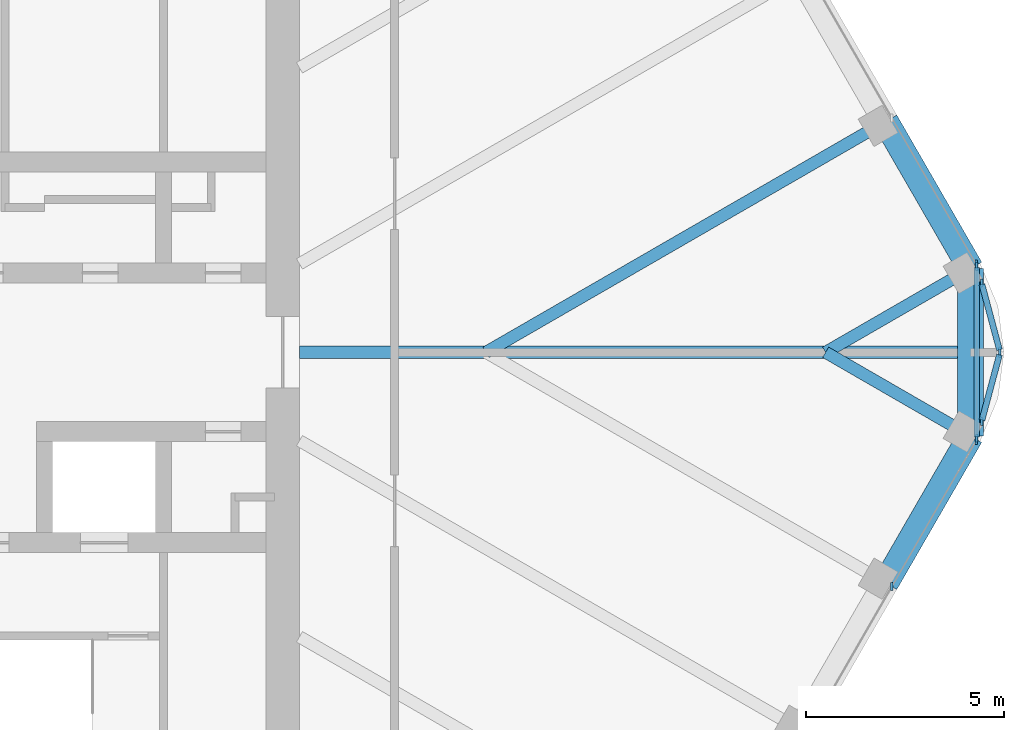
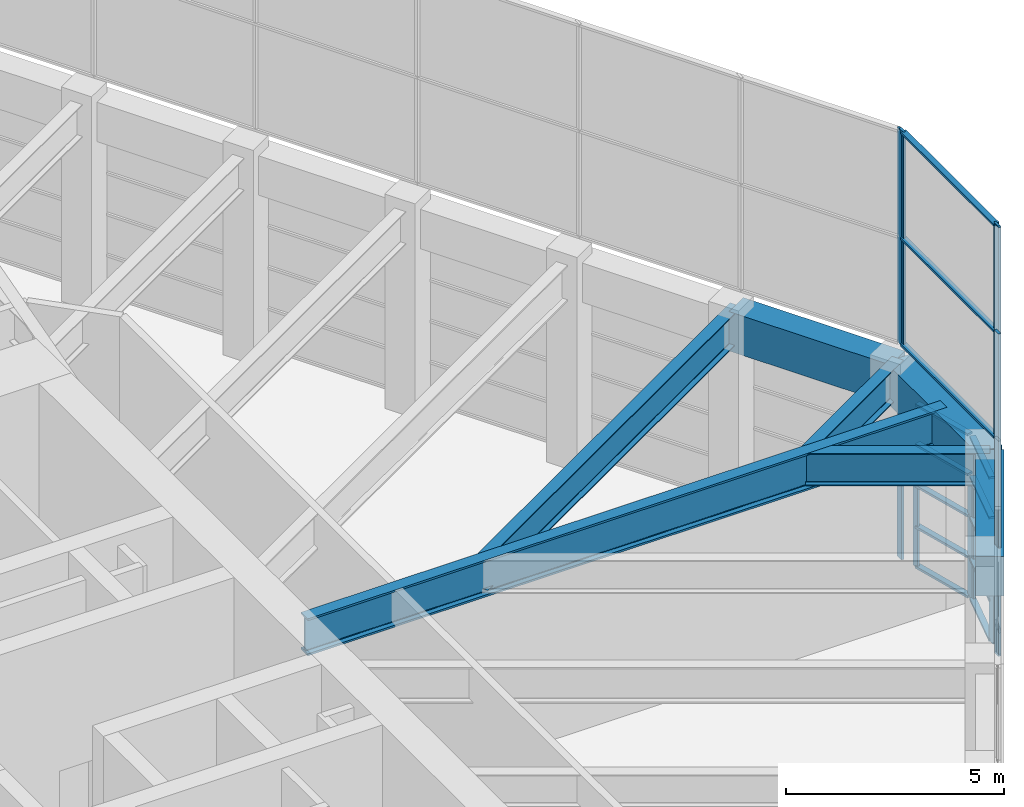
# One storey, part 6 of 17: 24 members, 7 beams, 7 elements without a shape of their own.
"""IFC4 building model written with IfcOpenShell, lengths in metres."""

from ifc_helpers import new_model, si_unit, direction, frame, origin, origin_2d, place, context, subcontext, project, spatial, rectangle, i_section, extrude, material, material_profile, profile_set, type_object, element, aggregate, save


model = new_model("IFC4")

# Units and contexts
model_context = context("Model", 3, precision=1e-05, world=origin(), true_north=direction((0.0, 1.0)))
body_context = subcontext(model_context, "Body", "Model", "MODEL_VIEW")
ifc_project = project(units=[si_unit("LENGTHUNIT", "METRE"), si_unit("AREAUNIT", "SQUARE_METRE"), si_unit("VOLUMEUNIT", "CUBIC_METRE"), si_unit("PLANEANGLEUNIT", "RADIAN"), si_unit("MASSUNIT", "GRAM", prefix="KILO")], contexts=[model_context])

# Site, building, storey
site_placement = place(None, origin())
site = spatial("IfcSite", under=ifc_project, at=site_placement, CompositionType="ELEMENT")
building_placement = place(site_placement, origin())
building = spatial("IfcBuilding", under=site, at=building_placement, Name="Tarfa Lantern Tower", CompositionType="ELEMENT")
storey_placement = place(building_placement, frame((0.0, 0.0, 402.300048828125)))
storey = spatial("IfcBuildingStorey", under=building, at=storey_placement, Name="L91", CompositionType="ELEMENT", Elevation=402.300048828125)

# Curtain wall, members
ifc_material_1 = material(Name="Aluminium framed curtain wall", Category="aluminium")
curtain_wall_type_1 = type_object("IfcCurtainWallType", Name="CW8 LANTERN GLAZING 4600", PredefinedType="USERDEFINED", material=ifc_material_1)
curtain_wall_1_placement = place(storey_placement, origin())
curtain_wall_1 = element("IfcCurtainWall", 1, at=curtain_wall_1_placement, inside=storey, type_object=curtain_wall_type_1, Name="CW8 SENE1 L91", ObjectType="CURTAIN WALL", PredefinedType="USERDEFINED")
ifc_material_2 = material(Name="Aluminium mullion", Category="aluminium")
ifc_material_profile_1 = material_profile(ifc_material_2, rectangle(XDim=0.06494140625, YDim=0.199951171875, at=origin_2d()), Name="AL MULLION 65x200")
ifc_profile_set_1 = profile_set([ifc_material_profile_1], Name="Aluminium mullion")
member_type_1 = type_object("IfcMemberType", Name="CWM1 MULLION 65x200", PredefinedType="MULLION", material=ifc_profile_set_1)
member_1_placement = place(storey_placement, frame((29.625244140625, -1.74267578125, 0.0), z_axis=(0.0, 0.0, 1.0), x_axis=(1.0, 0.0, 0.0)))
member_1 = element("IfcMember", 2, at=member_1_placement, type_object=member_type_1, Name="CW8 mullion 1", PredefinedType="MULLION", context=body_context, shape_type="SweptSolid", body=[
    extrude(rectangle(XDim=0.06494140625, YDim=0.199951171875, at=origin_2d()), origin(), (0.0, 0.0, 1.0), 4.599853515625),
])
member_2_placement = place(storey_placement, frame((30.083740234375, -0.031494140625, 0.0), z_axis=(0.0, 0.0, 1.0), x_axis=(1.0, 0.0, 0.0)))
member_2 = element("IfcMember", 3, at=member_2_placement, type_object=member_type_1, Name="CW8 mullion 2", PredefinedType="MULLION", context=body_context, shape_type="SweptSolid", body=[
    extrude(rectangle(XDim=0.06494140625, YDim=0.199951171875, at=origin_2d()), origin(), (0.0, 0.0, 1.0), 4.599853515625),
])

curtain_wall_2_placement = place(storey_placement, origin())
curtain_wall_2 = element("IfcCurtainWall", 4, at=curtain_wall_2_placement, inside=storey, type_object=curtain_wall_type_1, Name="CW8 SENE2 L91", ObjectType="CURTAIN WALL", PredefinedType="USERDEFINED")
member_3_placement = place(storey_placement, frame((30.083740234375, 0.031494140625, 0.0), z_axis=(0.0, 0.0, 1.0), x_axis=(1.0, 0.0, 0.0)))
member_3 = element("IfcMember", 5, at=member_3_placement, type_object=member_type_1, Name="CW8 mullion 1", PredefinedType="MULLION", context=body_context, shape_type="SweptSolid", body=[
    extrude(rectangle(XDim=0.06494140625, YDim=0.199951171875, at=origin_2d()), origin(), (0.0, 0.0, 1.0), 4.599853515625),
])
member_4_placement = place(storey_placement, frame((29.625244140625, 1.74267578125, 0.0), z_axis=(0.0, 0.0, 1.0), x_axis=(1.0, 0.0, 0.0)))
member_4 = element("IfcMember", 6, at=member_4_placement, type_object=member_type_1, Name="CW8 mullion 2", PredefinedType="MULLION", context=body_context, shape_type="SweptSolid", body=[
    extrude(rectangle(XDim=0.06494140625, YDim=0.199951171875, at=origin_2d()), origin(), (0.0, 0.0, 1.0), 4.599853515625),
])

# Curtain wall, member
curtain_wall_3_placement = place(storey_placement, origin())
curtain_wall_3 = element("IfcCurtainWall", 7, at=curtain_wall_3_placement, inside=storey, type_object=curtain_wall_type_1, Name="CW8 NE L91", ObjectType="CURTAIN WALL", PredefinedType="USERDEFINED")
member_5_placement = place(storey_placement, frame((29.486328125, 2.22802734375, 0.0), z_axis=(0.0, 0.0, 1.0), x_axis=(1.0, 0.0, 0.0)))
member_5 = element("IfcMember", 8, at=member_5_placement, type_object=member_type_1, Name="CW8 mullion 1", PredefinedType="MULLION", context=body_context, shape_type="SweptSolid", body=[
    extrude(rectangle(XDim=0.06494140625, YDim=0.199951171875, at=origin_2d()), origin(), (0.0, 0.0, 1.0), 4.599853515625),
])
aggregate(curtain_wall_3, [member_5])

curtain_wall_4_placement = place(storey_placement, origin())
curtain_wall_4 = element("IfcCurtainWall", 9, at=curtain_wall_4_placement, inside=storey, type_object=curtain_wall_type_1, Name="CW8 SE L91", ObjectType="CURTAIN WALL", PredefinedType="USERDEFINED")
member_6_placement = place(storey_placement, frame((29.486328125, -2.22802734375, 0.0), z_axis=(0.0, 0.0, 1.0), x_axis=(1.0, 0.0, 0.0)))
member_6 = element("IfcMember", 10, at=member_6_placement, type_object=member_type_1, Name="CW8 mullion 7", PredefinedType="MULLION", context=body_context, shape_type="SweptSolid", body=[
    extrude(rectangle(XDim=0.06494140625, YDim=0.199951171875, at=origin_2d()), origin(), (0.0, 0.0, 1.0), 4.599853515625),
])
aggregate(curtain_wall_4, [member_6])

curtain_wall_type_2 = type_object("IfcCurtainWallType", Name="CW9 CROWN SCREEN GLAZING 6000", PredefinedType="USERDEFINED", material=ifc_material_1)
curtain_wall_5_placement = place(storey_placement, origin())
curtain_wall_5 = element("IfcCurtainWall", 11, at=curtain_wall_5_placement, inside=storey, type_object=curtain_wall_type_2, Name="CW9 NE L91", ObjectType="CURTAIN WALL", PredefinedType="USERDEFINED")
member_7_placement = place(storey_placement, frame((29.486328125, 2.22802734375, 6.0), z_axis=(0.0, 0.0, 1.0), x_axis=(1.0, 0.0, 0.0)))
member_7 = element("IfcMember", 12, at=member_7_placement, type_object=member_type_1, Name="CW9 mullion 1", PredefinedType="MULLION", context=body_context, shape_type="SweptSolid", body=[
    extrude(rectangle(XDim=0.06494140625, YDim=0.199951171875, at=origin_2d()), origin(), (0.0, 0.0, 1.0), 6.0),
])
aggregate(curtain_wall_5, [member_7])

# Curtain wall, members
curtain_wall_6_placement = place(storey_placement, origin())
curtain_wall_6 = element("IfcCurtainWall", 13, at=curtain_wall_6_placement, inside=storey, type_object=curtain_wall_type_2, Name="CW9 SE L91", ObjectType="CURTAIN WALL", PredefinedType="USERDEFINED")
member_8_placement = place(storey_placement, frame((27.361572265625, -5.908447265625, 6.0), z_axis=(0.0, 0.0, 1.0), x_axis=(1.0, 0.0, 0.0)))
member_8 = element("IfcMember", 14, at=member_8_placement, type_object=member_type_1, Name="CW9 mullion 6", PredefinedType="MULLION", context=body_context, shape_type="SweptSolid", body=[
    extrude(rectangle(XDim=0.06494140625, YDim=0.199951171875, at=origin_2d()), origin(), (0.0, 0.0, 1.0), 6.0),
])
member_9_placement = place(storey_placement, frame((29.486328125, -2.22802734375, 6.0), z_axis=(0.0, 0.0, 1.0), x_axis=(1.0, 0.0, 0.0)))
member_9 = element("IfcMember", 15, at=member_9_placement, type_object=member_type_1, Name="CW9 mullion 7", PredefinedType="MULLION", context=body_context, shape_type="SweptSolid", body=[
    extrude(rectangle(XDim=0.06494140625, YDim=0.199951171875, at=origin_2d()), origin(), (0.0, 0.0, 1.0), 6.0),
])
aggregate(curtain_wall_6, [member_8, member_9])

curtain_wall_7_placement = place(storey_placement, origin())
curtain_wall_7 = element("IfcCurtainWall", 16, at=curtain_wall_7_placement, inside=storey, type_object=curtain_wall_type_2, Name="CW9 SENE L91", ObjectType="CURTAIN WALL", PredefinedType="USERDEFINED")
member_10_placement = place(storey_placement, frame((29.502685546875, -2.16748046875, 6.0), z_axis=(0.0, 0.0, 1.0), x_axis=(1.0, 0.0, 0.0)))
member_10 = element("IfcMember", 17, at=member_10_placement, type_object=member_type_1, Name="CW9 mullion 1", PredefinedType="MULLION", context=body_context, shape_type="SweptSolid", body=[
    extrude(rectangle(XDim=0.06494140625, YDim=0.199951171875, at=origin_2d()), origin(), (0.0, 0.0, 1.0), 6.0),
])
member_11_placement = place(storey_placement, frame((29.502685546875, 2.16748046875, 6.0), z_axis=(0.0, 0.0, 1.0), x_axis=(1.0, 0.0, 0.0)))
member_11 = element("IfcMember", 18, at=member_11_placement, type_object=member_type_1, Name="CW9 mullion 2", PredefinedType="MULLION", context=body_context, shape_type="SweptSolid", body=[
    extrude(rectangle(XDim=0.06494140625, YDim=0.199951171875, at=origin_2d()), origin(), (0.0, 0.0, 1.0), 6.0),
])

# Member
ifc_material_3 = material(Name="Aluminium transom", Category="aluminium")
ifc_material_profile_2 = material_profile(ifc_material_3, rectangle(XDim=0.14990234375, YDim=0.06494140625, at=origin_2d()), Name="AL TRANSOM 150x65")
ifc_profile_set_2 = profile_set([ifc_material_profile_2], Name="Aluminium transom")
member_type_2 = type_object("IfcMemberType", Name="CWT1 TRANSOM 150x65", PredefinedType="USERDEFINED", material=ifc_profile_set_2)
member_12_placement = place(storey_placement, frame((29.633544921875, -1.71142578125, 0.032470703125), z_axis=(0.258757534625, 0.965942305873, 0.0), x_axis=(-0.965942305873, 0.258757534625, 0.0)))
member_12 = element("IfcMember", 19, at=member_12_placement, type_object=member_type_2, Name="CW8 transom 1.1", ObjectType="TRANSOM", PredefinedType="USERDEFINED", context=body_context, shape_type="SweptSolid", body=[
    extrude(rectangle(XDim=0.14990234375, YDim=0.06494140625, at=origin_2d()), origin(), (0.0, 0.0, 1.0), 1.706787109375),
])

member_13_placement = place(storey_placement, frame((29.633544921875, -1.71142578125, 1.14990234375), z_axis=(0.258757534625, 0.965942305873, 0.0), x_axis=(-0.965942305873, 0.258757534625, 0.0)))
member_13 = element("IfcMember", 20, at=member_13_placement, type_object=member_type_2, Name="CW8 transom 1.2", ObjectType="TRANSOM", PredefinedType="USERDEFINED", context=body_context, shape_type="SweptSolid", body=[
    extrude(rectangle(XDim=0.14990234375, YDim=0.06494140625, at=origin_2d()), origin(), (0.0, 0.0, 1.0), 1.706787109375),
])

member_14_placement = place(storey_placement, frame((29.633544921875, -1.71142578125, 2.300048828125), z_axis=(0.258757534625, 0.965942305873, 0.0), x_axis=(-0.965942305873, 0.258757534625, 0.0)))
member_14 = element("IfcMember", 21, at=member_14_placement, type_object=member_type_2, Name="CW8 transom 1.3", ObjectType="TRANSOM", PredefinedType="USERDEFINED", context=body_context, shape_type="SweptSolid", body=[
    extrude(rectangle(XDim=0.14990234375, YDim=0.06494140625, at=origin_2d()), origin(), (0.0, 0.0, 1.0), 1.706787109375),
])

member_15_placement = place(storey_placement, frame((29.633544921875, -1.71142578125, 3.449951171875), z_axis=(0.258757534625, 0.965942305873, 0.0), x_axis=(-0.965942305873, 0.258757534625, 0.0)))
member_15 = element("IfcMember", 22, at=member_15_placement, type_object=member_type_2, Name="CW8 transom 1.4", ObjectType="TRANSOM", PredefinedType="USERDEFINED", context=body_context, shape_type="SweptSolid", body=[
    extrude(rectangle(XDim=0.14990234375, YDim=0.06494140625, at=origin_2d()), origin(), (0.0, 0.0, 1.0), 1.706787109375),
])

member_16_placement = place(storey_placement, frame((29.633544921875, -1.71142578125, 4.5673828125), z_axis=(0.258757534625, 0.965942305873, 0.0), x_axis=(-0.965942305873, 0.258757534625, 0.0)))
member_16 = element("IfcMember", 23, at=member_16_placement, type_object=member_type_2, Name="CW8 transom 1.5", ObjectType="TRANSOM", PredefinedType="USERDEFINED", context=body_context, shape_type="SweptSolid", body=[
    extrude(rectangle(XDim=0.14990234375, YDim=0.06494140625, at=origin_2d()), origin(), (0.0, 0.0, 1.0), 1.706787109375),
])

aggregate(curtain_wall_1, [member_1, member_2, member_12, member_13, member_14, member_15, member_16])

member_17_placement = place(storey_placement, frame((30.0751953125, 0.062744140625, 0.032470703125), z_axis=(-0.258757534625, 0.965942305873, 0.0), x_axis=(-0.965942305873, -0.258757534625, 0.0)))
member_17 = element("IfcMember", 24, at=member_17_placement, type_object=member_type_2, Name="CW8 transom 1.1", ObjectType="TRANSOM", PredefinedType="USERDEFINED", context=body_context, shape_type="SweptSolid", body=[
    extrude(rectangle(XDim=0.14990234375, YDim=0.06494140625, at=origin_2d()), origin(), (0.0, 0.0, 1.0), 1.706787109375),
])

member_18_placement = place(storey_placement, frame((30.0751953125, 0.062744140625, 1.14990234375), z_axis=(-0.258757534625, 0.965942305873, 0.0), x_axis=(-0.965942305873, -0.258757534625, 0.0)))
member_18 = element("IfcMember", 25, at=member_18_placement, type_object=member_type_2, Name="CW8 transom 1.2", ObjectType="TRANSOM", PredefinedType="USERDEFINED", context=body_context, shape_type="SweptSolid", body=[
    extrude(rectangle(XDim=0.14990234375, YDim=0.06494140625, at=origin_2d()), origin(), (0.0, 0.0, 1.0), 1.706787109375),
])

member_19_placement = place(storey_placement, frame((30.0751953125, 0.062744140625, 2.300048828125), z_axis=(-0.258757534625, 0.965942305873, 0.0), x_axis=(-0.965942305873, -0.258757534625, 0.0)))
member_19 = element("IfcMember", 26, at=member_19_placement, type_object=member_type_2, Name="CW8 transom 1.3", ObjectType="TRANSOM", PredefinedType="USERDEFINED", context=body_context, shape_type="SweptSolid", body=[
    extrude(rectangle(XDim=0.14990234375, YDim=0.06494140625, at=origin_2d()), origin(), (0.0, 0.0, 1.0), 1.706787109375),
])

member_20_placement = place(storey_placement, frame((30.0751953125, 0.062744140625, 3.449951171875), z_axis=(-0.258757534625, 0.965942305873, 0.0), x_axis=(-0.965942305873, -0.258757534625, 0.0)))
member_20 = element("IfcMember", 27, at=member_20_placement, type_object=member_type_2, Name="CW8 transom 1.4", ObjectType="TRANSOM", PredefinedType="USERDEFINED", context=body_context, shape_type="SweptSolid", body=[
    extrude(rectangle(XDim=0.14990234375, YDim=0.06494140625, at=origin_2d()), origin(), (0.0, 0.0, 1.0), 1.706787109375),
])

member_21_placement = place(storey_placement, frame((30.0751953125, 0.062744140625, 4.5673828125), z_axis=(-0.258757534625, 0.965942305873, 0.0), x_axis=(-0.965942305873, -0.258757534625, 0.0)))
member_21 = element("IfcMember", 28, at=member_21_placement, type_object=member_type_2, Name="CW8 transom 1.5", ObjectType="TRANSOM", PredefinedType="USERDEFINED", context=body_context, shape_type="SweptSolid", body=[
    extrude(rectangle(XDim=0.14990234375, YDim=0.06494140625, at=origin_2d()), origin(), (0.0, 0.0, 1.0), 1.706787109375),
])

aggregate(curtain_wall_2, [member_3, member_4, member_17, member_18, member_19, member_20, member_21])

member_22_placement = place(storey_placement, frame((29.502685546875, -2.135009765625, 6.032470703125), z_axis=(0.0, 1.0, 0.0), x_axis=(-1.0, 0.0, 0.0)))
member_22 = element("IfcMember", 29, at=member_22_placement, type_object=member_type_2, Name="CW9 transom 1.1", ObjectType="TRANSOM", PredefinedType="USERDEFINED", context=body_context, shape_type="SweptSolid", body=[
    extrude(rectangle(XDim=0.14990234375, YDim=0.06494140625, at=origin_2d()), origin(), (0.0, 0.0, 1.0), 4.27001953125),
])

member_23_placement = place(storey_placement, frame((29.502685546875, -2.135009765625, 9.0), z_axis=(0.0, 1.0, 0.0), x_axis=(-1.0, 0.0, 0.0)))
member_23 = element("IfcMember", 30, at=member_23_placement, type_object=member_type_2, Name="CW9 transom 1.2", ObjectType="TRANSOM", PredefinedType="USERDEFINED", context=body_context, shape_type="SweptSolid", body=[
    extrude(rectangle(XDim=0.14990234375, YDim=0.06494140625, at=origin_2d()), origin(), (0.0, 0.0, 1.0), 4.27001953125),
])

member_24_placement = place(storey_placement, frame((29.502685546875, -2.135009765625, 11.967529296875), z_axis=(0.0, 1.0, 0.0), x_axis=(-1.0, 0.0, 0.0)))
member_24 = element("IfcMember", 31, at=member_24_placement, type_object=member_type_2, Name="CW9 transom 1.3", ObjectType="TRANSOM", PredefinedType="USERDEFINED", context=body_context, shape_type="SweptSolid", body=[
    extrude(rectangle(XDim=0.14990234375, YDim=0.06494140625, at=origin_2d()), origin(), (0.0, 0.0, 1.0), 4.27001953125),
])

aggregate(curtain_wall_7, [member_10, member_11, member_22, member_23, member_24])

# Beams
ifc_material_4 = material(Name="Concrete C80/95", Category="concrete")
ifc_material_profile_3 = material_profile(ifc_material_4, rectangle(XDim=0.64990234375, YDim=1.10009765625, at=origin_2d()), Name="RC 650x1100")
ifc_profile_set_3 = profile_set([ifc_material_profile_3], Name="Concrete C80/95")
beam_type_1 = type_object("IfcBeamType", Name="EB4 RC 650x1100", PredefinedType="SPANDREL", material=ifc_profile_set_3)
for number, where, z_axis, x_axis, name in (
    (32, (29.3466796875, 2.110107421875, 5.14990234375), (-0.499984039138, 0.866034618596, 0.0), (-0.866034618596, -0.499984039138, 0.0), "Edge beam NE0"),
    (33, (27.205810546875, -5.818359375, 5.14990234375), (0.499984039138, 0.866034618596, 0.0), (-0.866034618596, 0.499984039138, 0.0), "Edge beam SE5"),
):
    element("IfcBeam", number, at=place(storey_placement, frame(where, z_axis=z_axis, x_axis=x_axis)), inside=storey, type_object=beam_type_1, Name=name, PredefinedType="SPANDREL", context=body_context, shape_type="SweptSolid", body=[
        extrude(rectangle(XDim=0.64990234375, YDim=1.10009765625, at=origin_2d()), origin(), (0.0, 0.0, 1.0), 4.281982421875),
    ])
beam_1_placement = place(storey_placement, frame((29.3466796875, -2.110107421875, 5.14990234375), z_axis=(0.0, 1.0, 0.0), x_axis=(-1.0, 0.0, 0.0)))
element("IfcBeam", 34, at=beam_1_placement, inside=storey, type_object=beam_type_1, Name="Edge beam SE6", PredefinedType="SPANDREL", context=body_context, shape_type="SweptSolid", body=[
    extrude(rectangle(XDim=0.64990234375, YDim=1.10009765625, at=origin_2d()), origin(), (0.0, 0.0, 1.0), 4.22021484375),
])
ifc_material_5 = material(Name="Steel S460M", Category="steel")
ifc_material_profile_4 = material_profile(ifc_material_5, i_section(OverallWidth=0.30859375, OverallDepth=1.036376953125, WebThickness=0.030029296875, FlangeThickness=0.05419921875, FilletRadius=0.030029296875, at=origin_2d()), Name="UB1016x305x487")
ifc_profile_set_4 = profile_set([ifc_material_profile_4], Name="Steel S460M")
beam_type_2 = type_object("IfcBeamType", Name="UB1016x305x487", PredefinedType="BEAM", material=ifc_profile_set_4)
beam_2_placement = place(storey_placement, frame((12.425048828125, 0.0, 5.181884765625), z_axis=(1.0, 0.0, 0.0), x_axis=(0.0, 1.0, 0.0)))
element("IfcBeam", 35, at=beam_2_placement, inside=storey, type_object=beam_type_2, Name="Hip girder E", PredefinedType="BEAM", context=body_context, shape_type="SweptSolid", body=[
    extrude(i_section(OverallWidth=0.30859375, OverallDepth=1.036376953125, WebThickness=0.030029296875, FlangeThickness=0.05419921875, FilletRadius=0.030029296875, at=origin_2d()), origin(), (0.0, 0.0, 1.0), 16.921630859375),
])
ifc_material_profile_5 = material_profile(ifc_material_5, i_section(OverallWidth=0.305419921875, OverallDepth=0.91845703125, WebThickness=0.017333984375, FlangeThickness=0.02783203125, FilletRadius=0.01904296875, at=origin_2d()), Name="UB914x305x253")
ifc_profile_set_5 = profile_set([ifc_material_profile_5], Name="Steel S460M")
beam_type_3 = type_object("IfcBeamType", Name="UB914x305x253", PredefinedType="BEAM", material=ifc_profile_set_5)
beam_3_placement = place(storey_placement, frame((29.3466796875, 2.110107421875, 5.24072265625), z_axis=(-0.866009274789, -0.500027935199, 0.0), x_axis=(0.500027935199, -0.866009274789, 0.0)))
element("IfcBeam", 36, at=beam_3_placement, inside=storey, type_object=beam_type_3, Name="Floor beam NE0", PredefinedType="BEAM", context=body_context, shape_type="SweptSolid", body=[
    extrude(i_section(OverallWidth=0.305419921875, OverallDepth=0.91845703125, WebThickness=0.017333984375, FlangeThickness=0.02783203125, FilletRadius=0.01904296875, at=origin_2d()), origin(), (0.0, 0.0, 1.0), 4.219970703125),
])
beam_4_placement = place(storey_placement, frame((27.205810546875, 5.818359375, 5.24072265625), z_axis=(-0.866024171998, -0.500002133511, 0.0), x_axis=(0.500002133511, -0.866024171998, 0.0)))
element("IfcBeam", 37, at=beam_4_placement, inside=storey, type_object=beam_type_3, Name="Floor beam NE1", PredefinedType="BEAM", context=body_context, shape_type="SweptSolid", body=[
    extrude(i_section(OverallWidth=0.305419921875, OverallDepth=0.91845703125, WebThickness=0.017333984375, FlangeThickness=0.02783203125, FilletRadius=0.01904296875, at=origin_2d()), origin(), (0.0, 0.0, 1.0), 11.63671875),
])
beam_5_placement = place(storey_placement, frame((29.3466796875, -2.110107421875, 5.24072265625), z_axis=(-0.866009274789, 0.500027935199, 0.0), x_axis=(-0.500027935199, -0.866009274789, 0.0)))
element("IfcBeam", 38, at=beam_5_placement, inside=storey, type_object=beam_type_3, Name="Floor beam SE6", PredefinedType="BEAM", context=body_context, shape_type="SweptSolid", body=[
    extrude(i_section(OverallWidth=0.305419921875, OverallDepth=0.91845703125, WebThickness=0.017333984375, FlangeThickness=0.02783203125, FilletRadius=0.01904296875, at=origin_2d()), origin(), (0.0, 0.0, 1.0), 4.219970703125),
])

save(model, "model.ifc")
